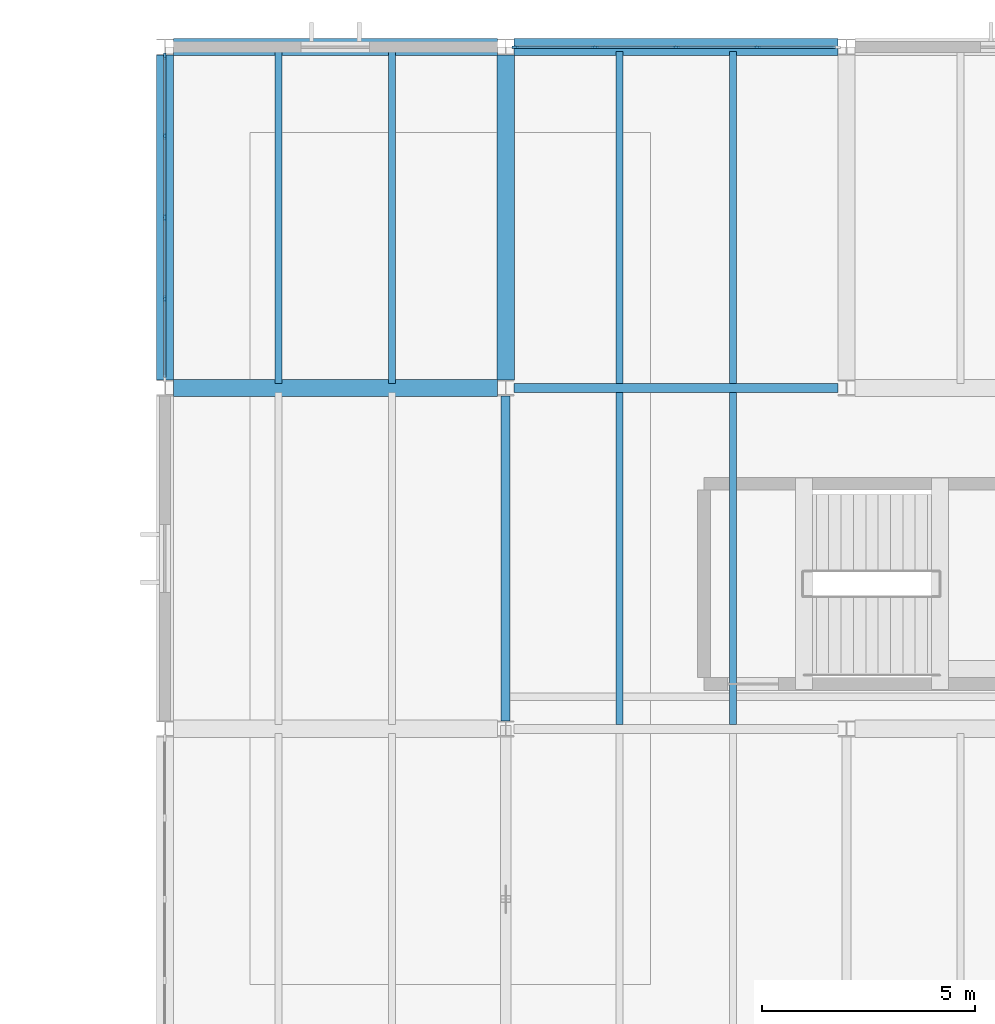
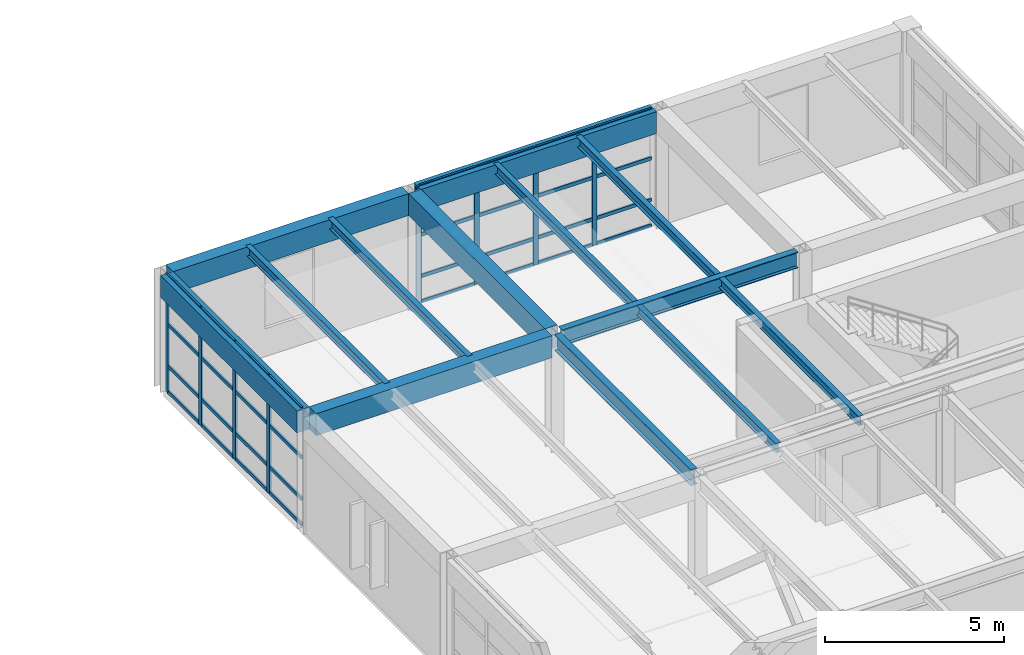
# One storey, part 24 of 48: 40 members, 13 beams, 2 elements without a shape of their own.
"""IFC4 building model written with IfcOpenShell, lengths in metres."""

from ifc_helpers import new_model, si_unit, direction, frame, origin, origin_2d, place, context, subcontext, project, spatial, rectangle, i_section, extrude, material, layer, layer_set, material_profile, profile_set, type_object, element, aggregate, save


model = new_model("IFC4")

# Units and contexts
model_context = context("Model", 3, precision=1e-05, world=origin(), true_north=direction((0.0, 1.0)))
body_context = subcontext(model_context, "Body", "Model", "MODEL_VIEW")
ifc_project = project(units=[si_unit("LENGTHUNIT", "METRE"), si_unit("AREAUNIT", "SQUARE_METRE"), si_unit("VOLUMEUNIT", "CUBIC_METRE"), si_unit("PLANEANGLEUNIT", "RADIAN"), si_unit("MASSUNIT", "GRAM", prefix="KILO")], contexts=[model_context])

# Site, building, storey
site_placement = place(None, origin())
site = spatial("IfcSite", under=ifc_project, at=site_placement, CompositionType="ELEMENT")
building_placement = place(site_placement, origin())
building = spatial("IfcBuilding", under=site, at=building_placement, Name="Varnela Railside Interchange", CompositionType="ELEMENT")
storey_placement = place(building_placement, frame((0.0, 0.0, 11.199951171875)))
storey = spatial("IfcBuildingStorey", under=building, at=storey_placement, Name="L02", CompositionType="ELEMENT", Elevation=11.199951171875)

# Beams
ifc_material_1 = material(Name="Steel AR 350 (350 MPa)", Category="steel")
ifc_material_profile_1 = material_profile(ifc_material_1, i_section(OverallWidth=0.2109375, OverallDepth=0.5390625, WebThickness=0.01171875, FlangeThickness=0.018798828125, at=origin_2d()), Name="W530x109")
ifc_profile_set_1 = profile_set([ifc_material_profile_1], Name="Steel AR 350 (350 MPa)")
beam_type_1 = type_object("IfcBeamType", Name="Composite Girder B-17", PredefinedType="BEAM", material=ifc_profile_set_1)
beam_1_placement = place(storey_placement, frame((124.0, 78.1875, 3.73046875), z_axis=(0.0, 1.0, 0.0), x_axis=(-1.0, 0.0, 0.0)))
element("IfcBeam", 1, at=beam_1_placement, inside=storey, type_object=beam_type_1, Name="Composite Girder B-17 (L02) (BM-2032)", PredefinedType="BEAM", context=body_context, shape_type="SweptSolid", body=[
    extrude(i_section(OverallWidth=0.2109375, OverallDepth=0.5390625, WebThickness=0.01171875, FlangeThickness=0.018798828125, at=origin_2d()), origin(), (0.0, 0.0, 1.0), 7.625),
])
ifc_material_profile_2 = material_profile(ifc_material_1, i_section(OverallWidth=0.2119140625, OverallDepth=0.5439453125, WebThickness=0.01318359375, FlangeThickness=0.021240234375, at=origin_2d()), Name="W530x123")
ifc_profile_set_2 = profile_set([ifc_material_profile_2], Name="Steel AR 350 (350 MPa)")
beam_type_2 = type_object("IfcBeamType", Name="Composite Heavy Girder B-16", PredefinedType="BEAM", material=ifc_profile_set_2)
beam_2_placement = place(storey_placement, frame((124.197021484375, 86.0, 3.72802734375), z_axis=(1.0, 0.0, 0.0), x_axis=(0.0, 1.0, 0.0)))
element("IfcBeam", 2, at=beam_2_placement, inside=storey, type_object=beam_type_2, Name="Composite Heavy Girder B-16 (L02) (BM-2002)", PredefinedType="BEAM", context=body_context, shape_type="SweptSolid", body=[
    extrude(i_section(OverallWidth=0.2119140625, OverallDepth=0.5439453125, WebThickness=0.01318359375, FlangeThickness=0.021240234375, at=origin_2d()), origin(), (0.0, 0.0, 1.0), 7.60595703125),
])
ifc_material_profile_3 = material_profile(ifc_material_1, i_section(OverallWidth=0.1669921875, OverallDepth=0.31689453125, WebThickness=0.007568359375, FlangeThickness=0.01318359375, at=origin_2d()), Name="W310x52")
ifc_profile_set_3 = profile_set([ifc_material_profile_3], Name="Steel AR 350 (350 MPa)")
beam_type_3 = type_object("IfcBeamType", Name="Composite Long-Span Joist J-03", PredefinedType="JOIST", material=ifc_profile_set_3)
for number, where, z_axis, x_axis, name in (
    (3, (118.669921875, 86.10595703125, 3.841552734375), (0.0, 1.0, 0.0), (-1.0, 0.0, 0.0), "Composite Long-Span Joist J-03 (L02) (BM-1839)"),
    (4, (121.330078125, 86.10595703125, 3.841552734375), (0.0, 1.0, 0.0), (-1.0, 0.0, 0.0), "Composite Long-Span Joist J-03 (L02) (BM-1840)"),
    (5, (126.669921875, 78.10595703125, 3.841552734375), (0.0, 1.0, 0.0), (-1.0, 0.0, 0.0), "Composite Long-Span Joist J-03 (L02) (BM-1862)"),
    (6, (129.330078125, 78.10595703125, 3.841552734375), (0.0, 1.0, 0.0), (-1.0, 0.0, 0.0), "Composite Long-Span Joist J-03 (L02) (BM-1863)"),
    (7, (126.669921875, 86.10595703125, 3.841552734375), (0.0, 1.0, 0.0), (-1.0, 0.0, 0.0), "Composite Long-Span Joist J-03 (L02) (BM-1852)"),
    (8, (129.330078125, 86.10595703125, 3.841552734375), (0.0, 1.0, 0.0), (-1.0, 0.0, 0.0), "Composite Long-Span Joist J-03 (L02) (BM-1853)"),
):
    element("IfcBeam", number, at=place(storey_placement, frame(where, z_axis=z_axis, x_axis=x_axis)), inside=storey, type_object=beam_type_3, Name=name, PredefinedType="JOIST", context=body_context, shape_type="SweptSolid", body=[
        extrude(i_section(OverallWidth=0.1669921875, OverallDepth=0.31689453125, WebThickness=0.007568359375, FlangeThickness=0.01318359375, at=origin_2d()), origin(), (0.0, 0.0, 1.0), 7.7880859375),
    ])

# Curtain wall, members
ifc_material_2 = material(Name="Aluminium 6063-T6", Category="aluminium")
ifc_layer = layer(ifc_material_2, 0.035888671875)
ifc_layer_set = layer_set([ifc_layer], Name="Aluminium 6063-T6")
curtain_wall_type = type_object("IfcCurtainWallType", Name="Study Pavilion Gallery Curtain Wall CW-02", PredefinedType="USERDEFINED", material=ifc_layer_set)
curtain_wall_1_placement = place(storey_placement, origin())
curtain_wall_1 = element("IfcCurtainWall", 9, at=curtain_wall_1_placement, inside=storey, type_object=curtain_wall_type, Name="Curtain Wall CW-02 (L02) (CW-056)", ObjectType="CURTAIN WALL", PredefinedType="USERDEFINED")
ifc_material_profile_4 = material_profile(ifc_material_2, rectangle(XDim=0.06005859375, YDim=0.159912109375, at=origin_2d()), Name="ALU 60x160")
ifc_profile_set_4 = profile_set([ifc_material_profile_4], Name="Aluminium 6063-T6")
member_type_1 = type_object("IfcMemberType", Name="Curtain Wall Mullion ML-02", PredefinedType="MULLION", material=ifc_profile_set_4)
member_1_placement = place(storey_placement, frame((116.0, 88.09375, 0.0), z_axis=(0.0, 0.0, 1.0), x_axis=(-1.0, 0.0, 0.0)))
member_1 = element("IfcMember", 10, at=member_1_placement, type_object=member_type_1, Name="CW-02 mullion 2", PredefinedType="MULLION", context=body_context, shape_type="SweptSolid", body=[
    extrude(rectangle(XDim=0.06005859375, YDim=0.159912109375, at=origin_2d()), origin(), (0.0, 0.0, 1.0), 4.0),
])
member_2_placement = place(storey_placement, frame((116.0, 90.0, 0.0), z_axis=(0.0, 0.0, 1.0), x_axis=(-1.0, 0.0, 0.0)))
member_2 = element("IfcMember", 11, at=member_2_placement, type_object=member_type_1, Name="CW-02 mullion 3", PredefinedType="MULLION", context=body_context, shape_type="SweptSolid", body=[
    extrude(rectangle(XDim=0.06005859375, YDim=0.159912109375, at=origin_2d()), origin(), (0.0, 0.0, 1.0), 4.0),
])
member_3_placement = place(storey_placement, frame((116.0, 91.90625, 0.0), z_axis=(0.0, 0.0, 1.0), x_axis=(-1.0, 0.0, 0.0)))
member_3 = element("IfcMember", 12, at=member_3_placement, type_object=member_type_1, Name="CW-02 mullion 4", PredefinedType="MULLION", context=body_context, shape_type="SweptSolid", body=[
    extrude(rectangle(XDim=0.06005859375, YDim=0.159912109375, at=origin_2d()), origin(), (0.0, 0.0, 1.0), 4.0),
])
member_4_placement = place(storey_placement, frame((116.0, 93.782470703125, 0.0), z_axis=(0.0, 0.0, 1.0), x_axis=(-1.0, 0.0, 0.0)))
member_4 = element("IfcMember", 13, at=member_4_placement, type_object=member_type_1, Name="CW-02 mullion 5", PredefinedType="MULLION", context=body_context, shape_type="SweptSolid", body=[
    extrude(rectangle(XDim=0.06005859375, YDim=0.159912109375, at=origin_2d()), origin(), (0.0, 0.0, 1.0), 4.0),
])

curtain_wall_2_placement = place(storey_placement, origin())
curtain_wall_2 = element("IfcCurtainWall", 14, at=curtain_wall_2_placement, inside=storey, type_object=curtain_wall_type, Name="Curtain Wall CW-02 (L02) (CW-057)", ObjectType="CURTAIN WALL", PredefinedType="USERDEFINED")
member_5_placement = place(storey_placement, frame((124.22705078125, 94.0, 0.0), z_axis=(0.0, 0.0, 1.0), x_axis=(0.0, 1.0, 0.0)))
member_5 = element("IfcMember", 15, at=member_5_placement, type_object=member_type_1, Name="CW-02 mullion 1", PredefinedType="MULLION", context=body_context, shape_type="SweptSolid", body=[
    extrude(rectangle(XDim=0.06005859375, YDim=0.159912109375, at=origin_2d()), origin(), (0.0, 0.0, 1.0), 4.0),
])
member_6_placement = place(storey_placement, frame((126.098388671875, 94.0, 0.0), z_axis=(0.0, 0.0, 1.0), x_axis=(0.0, 1.0, 0.0)))
member_6 = element("IfcMember", 16, at=member_6_placement, type_object=member_type_1, Name="CW-02 mullion 2", PredefinedType="MULLION", context=body_context, shape_type="SweptSolid", body=[
    extrude(rectangle(XDim=0.06005859375, YDim=0.159912109375, at=origin_2d()), origin(), (0.0, 0.0, 1.0), 4.0),
])
member_7_placement = place(storey_placement, frame((128.0, 94.0, 0.0), z_axis=(0.0, 0.0, 1.0), x_axis=(0.0, 1.0, 0.0)))
member_7 = element("IfcMember", 17, at=member_7_placement, type_object=member_type_1, Name="CW-02 mullion 3", PredefinedType="MULLION", context=body_context, shape_type="SweptSolid", body=[
    extrude(rectangle(XDim=0.06005859375, YDim=0.159912109375, at=origin_2d()), origin(), (0.0, 0.0, 1.0), 4.0),
])
member_8_placement = place(storey_placement, frame((129.901611328125, 94.0, 0.0), z_axis=(0.0, 0.0, 1.0), x_axis=(0.0, 1.0, 0.0)))
member_8 = element("IfcMember", 18, at=member_8_placement, type_object=member_type_1, Name="CW-02 mullion 4", PredefinedType="MULLION", context=body_context, shape_type="SweptSolid", body=[
    extrude(rectangle(XDim=0.06005859375, YDim=0.159912109375, at=origin_2d()), origin(), (0.0, 0.0, 1.0), 4.0),
])

# Member
ifc_material_profile_5 = material_profile(ifc_material_2, rectangle(XDim=0.06005859375, YDim=0.1201171875, at=origin_2d()), Name="ALU 60x120")
ifc_profile_set_5 = profile_set([ifc_material_profile_5], Name="Aluminium 6063-T6")
member_type_2 = type_object("IfcMemberType", Name="Curtain Wall Transom TR-02", PredefinedType="USERDEFINED", material=ifc_profile_set_5)
member_9_placement = place(storey_placement, frame((116.0, 86.24755859375, 0.030029296875), z_axis=(0.0, 1.0, 0.0), x_axis=(-1.0, 0.0, 0.0)))
member_9 = element("IfcMember", 19, at=member_9_placement, type_object=member_type_2, Name="CW-02 transom 1.1", ObjectType="TRANSOM", PredefinedType="USERDEFINED", context=body_context, shape_type="SweptSolid", body=[
    extrude(rectangle(XDim=0.06005859375, YDim=0.1201171875, at=origin_2d()), origin(), (0.0, 0.0, 1.0), 1.816162109375),
])

member_10_placement = place(storey_placement, frame((116.0, 86.24755859375, 0.900146484375), z_axis=(0.0, 1.0, 0.0), x_axis=(-1.0, 0.0, 0.0)))
member_10 = element("IfcMember", 20, at=member_10_placement, type_object=member_type_2, Name="CW-02 transom 1.2", ObjectType="TRANSOM", PredefinedType="USERDEFINED", context=body_context, shape_type="SweptSolid", body=[
    extrude(rectangle(XDim=0.06005859375, YDim=0.1201171875, at=origin_2d()), origin(), (0.0, 0.0, 1.0), 1.816162109375),
])

member_11_placement = place(storey_placement, frame((116.0, 86.24755859375, 2.320068359375), z_axis=(0.0, 1.0, 0.0), x_axis=(-1.0, 0.0, 0.0)))
member_11 = element("IfcMember", 21, at=member_11_placement, type_object=member_type_2, Name="CW-02 transom 1.3", ObjectType="TRANSOM", PredefinedType="USERDEFINED", context=body_context, shape_type="SweptSolid", body=[
    extrude(rectangle(XDim=0.06005859375, YDim=0.1201171875, at=origin_2d()), origin(), (0.0, 0.0, 1.0), 1.816162109375),
])

member_12_placement = place(storey_placement, frame((116.0, 86.24755859375, 3.969970703125), z_axis=(0.0, 1.0, 0.0), x_axis=(-1.0, 0.0, 0.0)))
member_12 = element("IfcMember", 22, at=member_12_placement, type_object=member_type_2, Name="CW-02 transom 1.4", ObjectType="TRANSOM", PredefinedType="USERDEFINED", context=body_context, shape_type="SweptSolid", body=[
    extrude(rectangle(XDim=0.06005859375, YDim=0.1201171875, at=origin_2d()), origin(), (0.0, 0.0, 1.0), 1.816162109375),
])

member_13_placement = place(storey_placement, frame((116.0, 88.123779296875, 0.030029296875), z_axis=(0.0, 1.0, 0.0), x_axis=(-1.0, 0.0, 0.0)))
member_13 = element("IfcMember", 23, at=member_13_placement, type_object=member_type_2, Name="CW-02 transom 2.1", ObjectType="TRANSOM", PredefinedType="USERDEFINED", context=body_context, shape_type="SweptSolid", body=[
    extrude(rectangle(XDim=0.06005859375, YDim=0.1201171875, at=origin_2d()), origin(), (0.0, 0.0, 1.0), 1.84619140625),
])

member_14_placement = place(storey_placement, frame((116.0, 88.123779296875, 0.900146484375), z_axis=(0.0, 1.0, 0.0), x_axis=(-1.0, 0.0, 0.0)))
member_14 = element("IfcMember", 24, at=member_14_placement, type_object=member_type_2, Name="CW-02 transom 2.2", ObjectType="TRANSOM", PredefinedType="USERDEFINED", context=body_context, shape_type="SweptSolid", body=[
    extrude(rectangle(XDim=0.06005859375, YDim=0.1201171875, at=origin_2d()), origin(), (0.0, 0.0, 1.0), 1.84619140625),
])

member_15_placement = place(storey_placement, frame((116.0, 88.123779296875, 2.320068359375), z_axis=(0.0, 1.0, 0.0), x_axis=(-1.0, 0.0, 0.0)))
member_15 = element("IfcMember", 25, at=member_15_placement, type_object=member_type_2, Name="CW-02 transom 2.3", ObjectType="TRANSOM", PredefinedType="USERDEFINED", context=body_context, shape_type="SweptSolid", body=[
    extrude(rectangle(XDim=0.06005859375, YDim=0.1201171875, at=origin_2d()), origin(), (0.0, 0.0, 1.0), 1.84619140625),
])

member_16_placement = place(storey_placement, frame((116.0, 88.123779296875, 3.969970703125), z_axis=(0.0, 1.0, 0.0), x_axis=(-1.0, 0.0, 0.0)))
member_16 = element("IfcMember", 26, at=member_16_placement, type_object=member_type_2, Name="CW-02 transom 2.4", ObjectType="TRANSOM", PredefinedType="USERDEFINED", context=body_context, shape_type="SweptSolid", body=[
    extrude(rectangle(XDim=0.06005859375, YDim=0.1201171875, at=origin_2d()), origin(), (0.0, 0.0, 1.0), 1.84619140625),
])

member_17_placement = place(storey_placement, frame((116.0, 90.030029296875, 0.030029296875), z_axis=(0.0, 1.0, 0.0), x_axis=(-1.0, 0.0, 0.0)))
member_17 = element("IfcMember", 27, at=member_17_placement, type_object=member_type_2, Name="CW-02 transom 3.1", ObjectType="TRANSOM", PredefinedType="USERDEFINED", context=body_context, shape_type="SweptSolid", body=[
    extrude(rectangle(XDim=0.06005859375, YDim=0.1201171875, at=origin_2d()), origin(), (0.0, 0.0, 1.0), 1.84619140625),
])

member_18_placement = place(storey_placement, frame((116.0, 90.030029296875, 0.900146484375), z_axis=(0.0, 1.0, 0.0), x_axis=(-1.0, 0.0, 0.0)))
member_18 = element("IfcMember", 28, at=member_18_placement, type_object=member_type_2, Name="CW-02 transom 3.2", ObjectType="TRANSOM", PredefinedType="USERDEFINED", context=body_context, shape_type="SweptSolid", body=[
    extrude(rectangle(XDim=0.06005859375, YDim=0.1201171875, at=origin_2d()), origin(), (0.0, 0.0, 1.0), 1.84619140625),
])

member_19_placement = place(storey_placement, frame((116.0, 90.030029296875, 2.320068359375), z_axis=(0.0, 1.0, 0.0), x_axis=(-1.0, 0.0, 0.0)))
member_19 = element("IfcMember", 29, at=member_19_placement, type_object=member_type_2, Name="CW-02 transom 3.3", ObjectType="TRANSOM", PredefinedType="USERDEFINED", context=body_context, shape_type="SweptSolid", body=[
    extrude(rectangle(XDim=0.06005859375, YDim=0.1201171875, at=origin_2d()), origin(), (0.0, 0.0, 1.0), 1.84619140625),
])

member_20_placement = place(storey_placement, frame((116.0, 90.030029296875, 3.969970703125), z_axis=(0.0, 1.0, 0.0), x_axis=(-1.0, 0.0, 0.0)))
member_20 = element("IfcMember", 30, at=member_20_placement, type_object=member_type_2, Name="CW-02 transom 3.4", ObjectType="TRANSOM", PredefinedType="USERDEFINED", context=body_context, shape_type="SweptSolid", body=[
    extrude(rectangle(XDim=0.06005859375, YDim=0.1201171875, at=origin_2d()), origin(), (0.0, 0.0, 1.0), 1.84619140625),
])

member_21_placement = place(storey_placement, frame((116.0, 91.936279296875, 0.030029296875), z_axis=(0.0, 1.0, 0.0), x_axis=(-1.0, 0.0, 0.0)))
member_21 = element("IfcMember", 31, at=member_21_placement, type_object=member_type_2, Name="CW-02 transom 4.1", ObjectType="TRANSOM", PredefinedType="USERDEFINED", context=body_context, shape_type="SweptSolid", body=[
    extrude(rectangle(XDim=0.06005859375, YDim=0.1201171875, at=origin_2d()), origin(), (0.0, 0.0, 1.0), 1.816162109375),
])

member_22_placement = place(storey_placement, frame((116.0, 91.936279296875, 0.900146484375), z_axis=(0.0, 1.0, 0.0), x_axis=(-1.0, 0.0, 0.0)))
member_22 = element("IfcMember", 32, at=member_22_placement, type_object=member_type_2, Name="CW-02 transom 4.2", ObjectType="TRANSOM", PredefinedType="USERDEFINED", context=body_context, shape_type="SweptSolid", body=[
    extrude(rectangle(XDim=0.06005859375, YDim=0.1201171875, at=origin_2d()), origin(), (0.0, 0.0, 1.0), 1.816162109375),
])

member_23_placement = place(storey_placement, frame((116.0, 91.936279296875, 2.320068359375), z_axis=(0.0, 1.0, 0.0), x_axis=(-1.0, 0.0, 0.0)))
member_23 = element("IfcMember", 33, at=member_23_placement, type_object=member_type_2, Name="CW-02 transom 4.3", ObjectType="TRANSOM", PredefinedType="USERDEFINED", context=body_context, shape_type="SweptSolid", body=[
    extrude(rectangle(XDim=0.06005859375, YDim=0.1201171875, at=origin_2d()), origin(), (0.0, 0.0, 1.0), 1.816162109375),
])

member_24_placement = place(storey_placement, frame((116.0, 91.936279296875, 3.969970703125), z_axis=(0.0, 1.0, 0.0), x_axis=(-1.0, 0.0, 0.0)))
member_24 = element("IfcMember", 34, at=member_24_placement, type_object=member_type_2, Name="CW-02 transom 4.4", ObjectType="TRANSOM", PredefinedType="USERDEFINED", context=body_context, shape_type="SweptSolid", body=[
    extrude(rectangle(XDim=0.06005859375, YDim=0.1201171875, at=origin_2d()), origin(), (0.0, 0.0, 1.0), 1.816162109375),
])

aggregate(curtain_wall_1, [member_1, member_2, member_3, member_4, member_9, member_10, member_11, member_12, member_13, member_14, member_15, member_16, member_17, member_18, member_19, member_20, member_21, member_22, member_23, member_24])

member_25_placement = place(storey_placement, frame((124.257080078125, 94.0, 0.030029296875), z_axis=(1.0, 0.0, 0.0), x_axis=(0.0, 1.0, 0.0)))
member_25 = element("IfcMember", 35, at=member_25_placement, type_object=member_type_2, Name="CW-02 transom 1.1", ObjectType="TRANSOM", PredefinedType="USERDEFINED", context=body_context, shape_type="SweptSolid", body=[
    extrude(rectangle(XDim=0.06005859375, YDim=0.1201171875, at=origin_2d()), origin(), (0.0, 0.0, 1.0), 1.8115234375),
])

member_26_placement = place(storey_placement, frame((124.257080078125, 94.0, 0.900146484375), z_axis=(1.0, 0.0, 0.0), x_axis=(0.0, 1.0, 0.0)))
member_26 = element("IfcMember", 36, at=member_26_placement, type_object=member_type_2, Name="CW-02 transom 1.2", ObjectType="TRANSOM", PredefinedType="USERDEFINED", context=body_context, shape_type="SweptSolid", body=[
    extrude(rectangle(XDim=0.06005859375, YDim=0.1201171875, at=origin_2d()), origin(), (0.0, 0.0, 1.0), 1.8115234375),
])

member_27_placement = place(storey_placement, frame((124.257080078125, 94.0, 2.320068359375), z_axis=(1.0, 0.0, 0.0), x_axis=(0.0, 1.0, 0.0)))
member_27 = element("IfcMember", 37, at=member_27_placement, type_object=member_type_2, Name="CW-02 transom 1.3", ObjectType="TRANSOM", PredefinedType="USERDEFINED", context=body_context, shape_type="SweptSolid", body=[
    extrude(rectangle(XDim=0.06005859375, YDim=0.1201171875, at=origin_2d()), origin(), (0.0, 0.0, 1.0), 1.8115234375),
])

member_28_placement = place(storey_placement, frame((124.257080078125, 94.0, 3.969970703125), z_axis=(1.0, 0.0, 0.0), x_axis=(0.0, 1.0, 0.0)))
member_28 = element("IfcMember", 38, at=member_28_placement, type_object=member_type_2, Name="CW-02 transom 1.4", ObjectType="TRANSOM", PredefinedType="USERDEFINED", context=body_context, shape_type="SweptSolid", body=[
    extrude(rectangle(XDim=0.06005859375, YDim=0.1201171875, at=origin_2d()), origin(), (0.0, 0.0, 1.0), 1.8115234375),
])

member_29_placement = place(storey_placement, frame((126.12841796875, 94.0, 0.030029296875), z_axis=(1.0, 0.0, 0.0), x_axis=(0.0, 1.0, 0.0)))
member_29 = element("IfcMember", 39, at=member_29_placement, type_object=member_type_2, Name="CW-02 transom 2.1", ObjectType="TRANSOM", PredefinedType="USERDEFINED", context=body_context, shape_type="SweptSolid", body=[
    extrude(rectangle(XDim=0.06005859375, YDim=0.1201171875, at=origin_2d()), origin(), (0.0, 0.0, 1.0), 1.841552734375),
])

member_30_placement = place(storey_placement, frame((126.12841796875, 94.0, 0.900146484375), z_axis=(1.0, 0.0, 0.0), x_axis=(0.0, 1.0, 0.0)))
member_30 = element("IfcMember", 40, at=member_30_placement, type_object=member_type_2, Name="CW-02 transom 2.2", ObjectType="TRANSOM", PredefinedType="USERDEFINED", context=body_context, shape_type="SweptSolid", body=[
    extrude(rectangle(XDim=0.06005859375, YDim=0.1201171875, at=origin_2d()), origin(), (0.0, 0.0, 1.0), 1.841552734375),
])

member_31_placement = place(storey_placement, frame((126.12841796875, 94.0, 2.320068359375), z_axis=(1.0, 0.0, 0.0), x_axis=(0.0, 1.0, 0.0)))
member_31 = element("IfcMember", 41, at=member_31_placement, type_object=member_type_2, Name="CW-02 transom 2.3", ObjectType="TRANSOM", PredefinedType="USERDEFINED", context=body_context, shape_type="SweptSolid", body=[
    extrude(rectangle(XDim=0.06005859375, YDim=0.1201171875, at=origin_2d()), origin(), (0.0, 0.0, 1.0), 1.841552734375),
])

member_32_placement = place(storey_placement, frame((126.12841796875, 94.0, 3.969970703125), z_axis=(1.0, 0.0, 0.0), x_axis=(0.0, 1.0, 0.0)))
member_32 = element("IfcMember", 42, at=member_32_placement, type_object=member_type_2, Name="CW-02 transom 2.4", ObjectType="TRANSOM", PredefinedType="USERDEFINED", context=body_context, shape_type="SweptSolid", body=[
    extrude(rectangle(XDim=0.06005859375, YDim=0.1201171875, at=origin_2d()), origin(), (0.0, 0.0, 1.0), 1.841552734375),
])

member_33_placement = place(storey_placement, frame((128.030029296875, 94.0, 0.030029296875), z_axis=(1.0, 0.0, 0.0), x_axis=(0.0, 1.0, 0.0)))
member_33 = element("IfcMember", 43, at=member_33_placement, type_object=member_type_2, Name="CW-02 transom 3.1", ObjectType="TRANSOM", PredefinedType="USERDEFINED", context=body_context, shape_type="SweptSolid", body=[
    extrude(rectangle(XDim=0.06005859375, YDim=0.1201171875, at=origin_2d()), origin(), (0.0, 0.0, 1.0), 1.841552734375),
])

member_34_placement = place(storey_placement, frame((128.030029296875, 94.0, 0.900146484375), z_axis=(1.0, 0.0, 0.0), x_axis=(0.0, 1.0, 0.0)))
member_34 = element("IfcMember", 44, at=member_34_placement, type_object=member_type_2, Name="CW-02 transom 3.2", ObjectType="TRANSOM", PredefinedType="USERDEFINED", context=body_context, shape_type="SweptSolid", body=[
    extrude(rectangle(XDim=0.06005859375, YDim=0.1201171875, at=origin_2d()), origin(), (0.0, 0.0, 1.0), 1.841552734375),
])

member_35_placement = place(storey_placement, frame((128.030029296875, 94.0, 2.320068359375), z_axis=(1.0, 0.0, 0.0), x_axis=(0.0, 1.0, 0.0)))
member_35 = element("IfcMember", 45, at=member_35_placement, type_object=member_type_2, Name="CW-02 transom 3.3", ObjectType="TRANSOM", PredefinedType="USERDEFINED", context=body_context, shape_type="SweptSolid", body=[
    extrude(rectangle(XDim=0.06005859375, YDim=0.1201171875, at=origin_2d()), origin(), (0.0, 0.0, 1.0), 1.841552734375),
])

member_36_placement = place(storey_placement, frame((128.030029296875, 94.0, 3.969970703125), z_axis=(1.0, 0.0, 0.0), x_axis=(0.0, 1.0, 0.0)))
member_36 = element("IfcMember", 46, at=member_36_placement, type_object=member_type_2, Name="CW-02 transom 3.4", ObjectType="TRANSOM", PredefinedType="USERDEFINED", context=body_context, shape_type="SweptSolid", body=[
    extrude(rectangle(XDim=0.06005859375, YDim=0.1201171875, at=origin_2d()), origin(), (0.0, 0.0, 1.0), 1.841552734375),
])

member_37_placement = place(storey_placement, frame((129.931396484375, 94.0, 0.030029296875), z_axis=(1.0, 0.0, 0.0), x_axis=(0.0, 1.0, 0.0)))
member_37 = element("IfcMember", 47, at=member_37_placement, type_object=member_type_2, Name="CW-02 transom 4.1", ObjectType="TRANSOM", PredefinedType="USERDEFINED", context=body_context, shape_type="SweptSolid", body=[
    extrude(rectangle(XDim=0.06005859375, YDim=0.1201171875, at=origin_2d()), origin(), (0.0, 0.0, 1.0), 1.8115234375),
])

member_38_placement = place(storey_placement, frame((129.931396484375, 94.0, 0.900146484375), z_axis=(1.0, 0.0, 0.0), x_axis=(0.0, 1.0, 0.0)))
member_38 = element("IfcMember", 48, at=member_38_placement, type_object=member_type_2, Name="CW-02 transom 4.2", ObjectType="TRANSOM", PredefinedType="USERDEFINED", context=body_context, shape_type="SweptSolid", body=[
    extrude(rectangle(XDim=0.06005859375, YDim=0.1201171875, at=origin_2d()), origin(), (0.0, 0.0, 1.0), 1.8115234375),
])

member_39_placement = place(storey_placement, frame((129.931396484375, 94.0, 2.320068359375), z_axis=(1.0, 0.0, 0.0), x_axis=(0.0, 1.0, 0.0)))
member_39 = element("IfcMember", 49, at=member_39_placement, type_object=member_type_2, Name="CW-02 transom 4.3", ObjectType="TRANSOM", PredefinedType="USERDEFINED", context=body_context, shape_type="SweptSolid", body=[
    extrude(rectangle(XDim=0.06005859375, YDim=0.1201171875, at=origin_2d()), origin(), (0.0, 0.0, 1.0), 1.8115234375),
])

member_40_placement = place(storey_placement, frame((129.931396484375, 94.0, 3.969970703125), z_axis=(1.0, 0.0, 0.0), x_axis=(0.0, 1.0, 0.0)))
member_40 = element("IfcMember", 50, at=member_40_placement, type_object=member_type_2, Name="CW-02 transom 4.4", ObjectType="TRANSOM", PredefinedType="USERDEFINED", context=body_context, shape_type="SweptSolid", body=[
    extrude(rectangle(XDim=0.06005859375, YDim=0.1201171875, at=origin_2d()), origin(), (0.0, 0.0, 1.0), 1.8115234375),
])

aggregate(curtain_wall_2, [member_5, member_6, member_7, member_8, member_25, member_26, member_27, member_28, member_29, member_30, member_31, member_32, member_33, member_34, member_35, member_36, member_37, member_38, member_39, member_40])

# Beams
ifc_material_3 = material(Name="Concrete C40 precast", Category="concrete")
ifc_material_profile_6 = material_profile(ifc_material_3, rectangle(XDim=0.39990234375, YDim=0.75, at=origin_2d()), Name="PC 400x750")
ifc_profile_set_6 = profile_set([ifc_material_profile_6], Name="Concrete C40 precast")
beam_type_4 = type_object("IfcBeamType", Name="Precast Facade Spandrel SP-03", PredefinedType="SPANDREL", material=ifc_profile_set_6)
for number, where, z_axis, x_axis, name in (
    (51, (116.197021484375, 86.0, 3.625), (1.0, 0.0, 0.0), (0.0, 1.0, 0.0), "Precast Facade Spandrel SP-03 (L02) (BM-2001)"),
    (52, (116.197021484375, 94.0, 3.625), (1.0, 0.0, 0.0), (0.0, 1.0, 0.0), "Precast Facade Spandrel SP-03 (L02) (BM-2010)"),
    (53, (124.197021484375, 94.0, 3.625), (1.0, 0.0, 0.0), (0.0, 1.0, 0.0), "Precast Facade Spandrel SP-03 (L02) (BM-2011)"),
):
    element("IfcBeam", number, at=place(storey_placement, frame(where, z_axis=z_axis, x_axis=x_axis)), inside=storey, type_object=beam_type_4, Name=name, PredefinedType="SPANDREL", context=body_context, shape_type="SweptSolid", body=[
        extrude(rectangle(XDim=0.39990234375, YDim=0.75, at=origin_2d()), origin(), (0.0, 0.0, 1.0), 7.60595703125),
    ])
for number, where, z_axis, x_axis, name in (
    (54, (116.0, 86.1875, 3.625), (0.0, 1.0, 0.0), (-1.0, 0.0, 0.0), "Precast Facade Spandrel SP-03 (L02) (BM-2027)"),
    (55, (124.0, 86.1875, 3.625), (0.0, 1.0, 0.0), (-1.0, 0.0, 0.0), "Precast Facade Spandrel SP-03 (L02) (BM-2033)"),
):
    element("IfcBeam", number, at=place(storey_placement, frame(where, z_axis=z_axis, x_axis=x_axis)), inside=storey, type_object=beam_type_4, Name=name, PredefinedType="SPANDREL", context=body_context, shape_type="SweptSolid", body=[
        extrude(rectangle(XDim=0.39990234375, YDim=0.75, at=origin_2d()), origin(), (0.0, 0.0, 1.0), 7.625),
    ])

save(model, "model.ifc")
